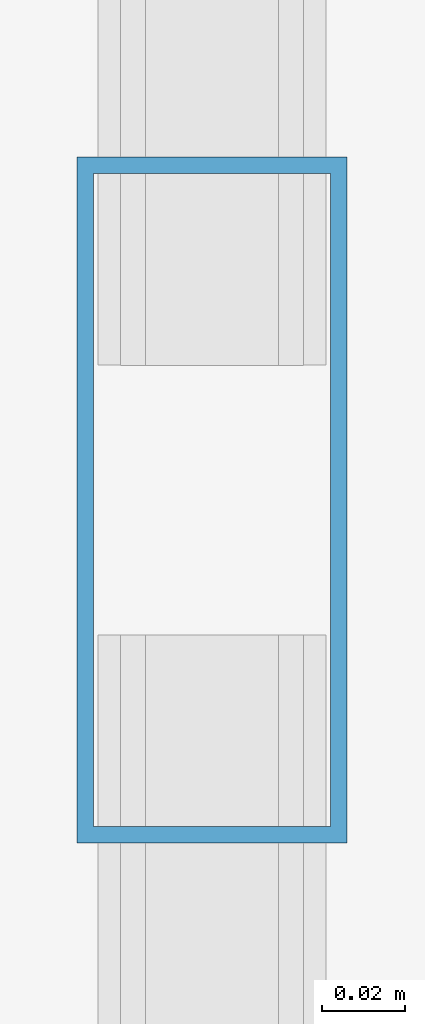
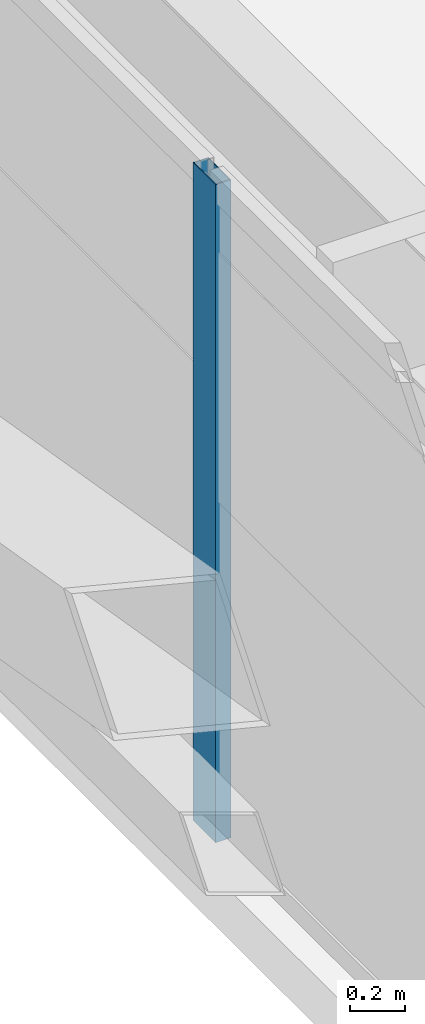
# One storey, part 11 of 44: 1 member, 1 element without a shape of its own.
"""IFC4 building model written with IfcOpenShell, lengths in metres."""

from ifc_helpers import new_model, si_unit, direction, frame, origin, origin_2d, place, context, subcontext, project, spatial, hollow_rectangle, extrude, source, transform, mapped, material, layer, layer_set, material_profile, profile_set, type_object, element, aggregate, save


model = new_model("IFC4")

# Units and contexts
model_context = context("Model", 3, precision=1e-05, world=origin(), true_north=direction((0.0, 1.0)))
body_context = subcontext(model_context, "Body", "Model", "MODEL_VIEW")
ifc_project = project(units=[si_unit("LENGTHUNIT", "METRE"), si_unit("AREAUNIT", "SQUARE_METRE"), si_unit("VOLUMEUNIT", "CUBIC_METRE"), si_unit("PLANEANGLEUNIT", "RADIAN"), si_unit("MASSUNIT", "GRAM", prefix="KILO")], contexts=[model_context])

# Site, building, storey
site_placement = place(None, origin())
site = spatial("IfcSite", under=ifc_project, at=site_placement, CompositionType="ELEMENT")
building_placement = place(site_placement, origin())
building = spatial("IfcBuilding", under=site, at=building_placement, Name="Taldren Reach Tower", CompositionType="ELEMENT")
storey_placement = place(building_placement, frame((0.0, 0.0, 42.0)))
storey = spatial("IfcBuildingStorey", under=building, at=storey_placement, Name="L12", CompositionType="ELEMENT", Elevation=42.0)

# Curtain wall, member
ifc_material_1 = material(Name="Aluminium and Low-E Glass Unitised System", Category="aluminium")
ifc_layer = layer(ifc_material_1, 0.159912109375)
ifc_layer_set = layer_set([ifc_layer], Name="Aluminium and Low-E Glass Unitised System")
curtain_wall_type = type_object("IfcCurtainWallType", Name="CW-SYS-2", PredefinedType="NOTDEFINED", material=ifc_layer_set)
curtain_wall_placement = place(storey_placement, origin())
curtain_wall = element("IfcCurtainWall", 1, at=curtain_wall_placement, inside=storey, type_object=curtain_wall_type, Name="Unitised curtain wall CW-L12-W", PredefinedType="NOTDEFINED")
ifc_material_2 = material(Name="Anodised Aluminium 6063-T6", Category="aluminium")
ifc_material_profile = material_profile(ifc_material_2, hollow_rectangle(XDim=0.06494140625, YDim=0.1650390625, WallThickness=0.00390625, at=origin_2d()), Name="ALU-165x65x4RHS")
ifc_profile_set = profile_set([ifc_material_profile], Name="Anodised Aluminium 6063-T6")
member_type = type_object("IfcMemberType", Name="CW-MUL-165", PredefinedType="MULLION", material=ifc_profile_set)
shared_shape = source(origin(), body_context, "Body", "SweptSolid", [
    extrude(hollow_rectangle(XDim=0.06494140625, YDim=0.1650390625, WallThickness=0.00390625, at=origin_2d()), origin(), (0.0, 0.0, 1.0), 2.929931640625),
])
member_placement = place(storey_placement, frame((5.139892578125, 25.166748046875, 0.0), z_axis=(0.0, 0.0, 1.0), x_axis=(1.0, 0.0, 0.0)))
member = element("IfcMember", 2, at=member_placement, type_object=member_type, Name="CW-2 mullion 2", PredefinedType="MULLION", context=body_context, shape_type="MappedRepresentation", body=[
    mapped(shared_shape, transform((0.0, 0.0, 0.0), scale=1.0)),
])
aggregate(curtain_wall, [member])

save(model, "model.ifc")
